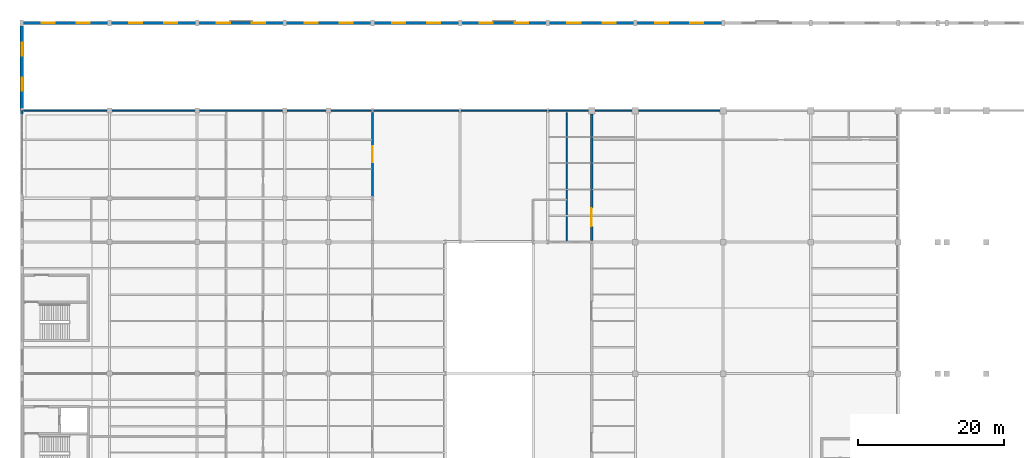
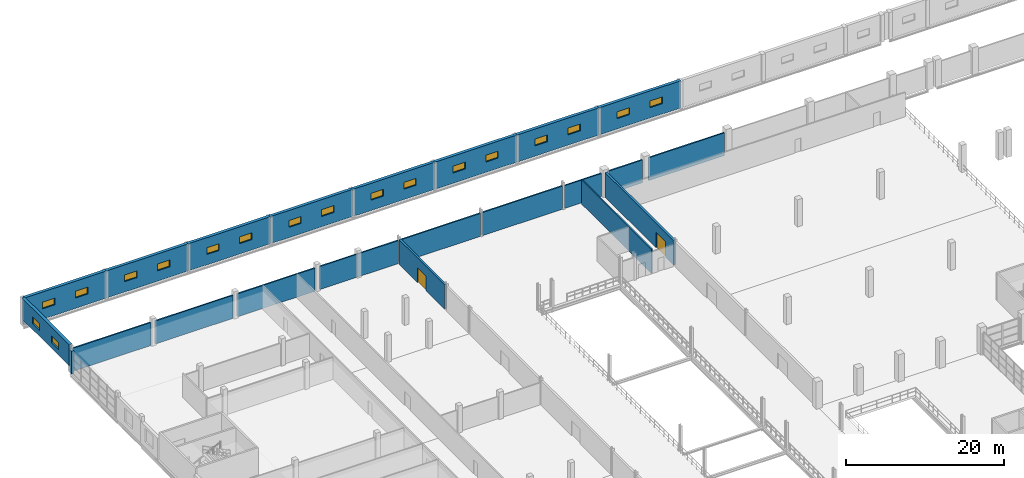
# One storey, part 148 of 158: 22 walls, 18 windows, 2 doors, 20 openings.
"""IFC4 building model written with IfcOpenShell, lengths in metres."""

from ifc_helpers import new_model, si_unit, direction, frame, frame_2d, origin, place, context, subcontext, project, spatial, rectangle, extrude, material, layer, layer_set, type_object, element, fill, save


model = new_model("IFC4")

# Units and contexts
model_context = context("Model", 3, precision=1e-05, world=origin(), true_north=direction((0.0, 1.0)))
body_context = subcontext(model_context, "Body", "Model", "MODEL_VIEW")
ifc_project = project(units=[si_unit("LENGTHUNIT", "METRE"), si_unit("AREAUNIT", "SQUARE_METRE"), si_unit("VOLUMEUNIT", "CUBIC_METRE"), si_unit("PLANEANGLEUNIT", "RADIAN"), si_unit("MASSUNIT", "GRAM", prefix="KILO")], contexts=[model_context])

# Site, building, storey
site_placement = place(None, origin())
site = spatial("IfcSite", under=ifc_project, at=site_placement, CompositionType="ELEMENT")
building_placement = place(site_placement, origin())
building = spatial("IfcBuilding", under=site, at=building_placement, Name="Zilviju Railside Exhibition Hall", CompositionType="ELEMENT")
storey_placement = place(building_placement, frame((0.0, 0.0, 4.199951171875)))
storey = spatial("IfcBuildingStorey", under=building, at=storey_placement, Name="L02", CompositionType="ELEMENT", Elevation=4.199951171875)

# Wall, opening, door
ifc_material_1 = material(Name="Concrete C35/45", Category="concrete")
ifc_layer_1 = layer(ifc_material_1, 0.280029296875)
ifc_layer_set_1 = layer_set([ifc_layer_1], Name="Concrete C35/45")
wall_type_1 = type_object("IfcWallType", Name="WL-COMP-280", PredefinedType="SHEAR", material=ifc_layer_set_1)
wall_1_placement = place(storey_placement, frame((48.0, 126.251953125, 0.0), z_axis=(0.0, 0.0, 1.0), x_axis=(0.0, 1.0, 0.0)))
wall_1 = element("IfcWall", 1, at=wall_1_placement, inside=storey, type_object=wall_type_1, Name="REI 180 Congress-Concourse Compartment Wall L02", PredefinedType="SHEAR", context=body_context, shape_type="SweptSolid", body=[
    extrude(rectangle(XDim=11.49609375, YDim=0.280029296875, at=frame_2d((5.748046875, 0.0))), origin(), (0.0, 0.0, 1.0), 3.800048828125),
])
opening_1_placement = place(wall_1_placement, frame((4.64794921875, 0.0, 0.0)))
opening_1 = element("IfcOpeningElement", 2, at=opening_1_placement, cuts=wall_1, Name="Opening FD-03", PredefinedType="OPENING", context=body_context, shape_type="SweptSolid", body=[
    extrude(rectangle(XDim=2.199951171875, YDim=2.300048828125, at=frame_2d((1.10009765625, 1.14990234375))), frame((0.0, 0.14990234375, 0.0), z_axis=(0.0, -1.0, 0.0), x_axis=(1.0, 0.0, 0.0)), (0.0, 0.0, 1.0), 0.300048828125),
])
ifc_material_2 = material(Name="Hold-open double compartment fire door EI 60", Category="wood")
door_type_1 = type_object("IfcDoorType", Name="DR-COMP-220x230", OperationType="NOTDEFINED", PredefinedType="DOOR", material=ifc_material_2)
door_1_placement = place(opening_1_placement, origin())
door_1 = element("IfcDoor", 3, at=door_1_placement, inside=storey, type_object=door_type_1, Name="Congress Link Fire Door L02", OperationType="DOUBLE_DOOR_SINGLE_SWING", OverallHeight=2.300048828125, OverallWidth=2.199951171875, PredefinedType="DOOR", context=body_context, shape_type="SweptSolid", body=[
    extrude(rectangle(XDim=2.199951171875, YDim=2.300048828125, at=frame_2d((1.10009765625, 1.14990234375))), frame((0.0, 0.02490234375, 0.0), z_axis=(0.0, -1.0, 0.0), x_axis=(1.0, 0.0, 0.0)), (0.0, 0.0, 1.0), 0.050048828125),
])
fill(opening_1, door_1)

ifc_material_3 = material(Name="Concrete C40/50", Category="concrete")
ifc_layer_2 = layer(ifc_material_3, 0.320068359375)
ifc_layer_set_2 = layer_set([ifc_layer_2], Name="Concrete C40/50")
wall_type_2 = type_object("IfcWallType", Name="WL-COMP-320", PredefinedType="SHEAR", material=ifc_layer_set_2)
wall_2_placement = place(storey_placement, frame((78.0, 120.201904296875, 0.0), z_axis=(0.0, 0.0, 1.0), x_axis=(0.0, 1.0, 0.0)))
wall_2 = element("IfcWall", 4, at=wall_2_placement, inside=storey, type_object=wall_type_2, Name="REI 180 North Hall Compartment Wall L02", PredefinedType="SHEAR", context=body_context, shape_type="SweptSolid", body=[
    extrude(rectangle(XDim=17.34619140625, YDim=0.320068359375, at=frame_2d((8.673095703125, 0.0))), origin(), (0.0, 0.0, 1.0), 3.800048828125),
])
opening_2_placement = place(wall_2_placement, frame((1.947998046875, 0.0, 0.0)))
opening_2 = element("IfcOpeningElement", 5, at=opening_2_placement, cuts=wall_2, Name="Opening FD-04", PredefinedType="OPENING", context=body_context, shape_type="SweptSolid", body=[
    extrude(rectangle(XDim=2.5, YDim=2.39990234375, at=frame_2d((1.25, 1.199951171875))), frame((0.0, 0.169921875, 0.0), z_axis=(0.0, -1.0, 0.0), x_axis=(1.0, 0.0, 0.0)), (0.0, 0.0, 1.0), 0.340087890625),
])
ifc_material_4 = material(Name="Exhibition hall fire compartment double door EI 60", Category="wood")
door_type_2 = type_object("IfcDoorType", Name="DR-COMP-250x240", OperationType="NOTDEFINED", PredefinedType="DOOR", material=ifc_material_4)
door_2_placement = place(opening_2_placement, origin())
door_2 = element("IfcDoor", 6, at=door_2_placement, inside=storey, type_object=door_type_2, Name="North Hall Entry Fire Door L02", OperationType="DOUBLE_DOOR_SINGLE_SWING", OverallHeight=2.39990234375, OverallWidth=2.5, PredefinedType="DOOR", context=body_context, shape_type="SweptSolid", body=[
    extrude(rectangle(XDim=2.5, YDim=2.39990234375, at=frame_2d((1.25, 1.199951171875))), frame((0.0, 0.02490234375, 0.0), z_axis=(0.0, -1.0, 0.0), x_axis=(1.0, 0.0, 0.0)), (0.0, 0.0, 1.0), 0.050048828125),
])
fill(opening_2, door_2)

# Wall
ifc_material_5 = material(Name="Insulated cream-brick upper facade wall", Category="masonry")
ifc_layer_3 = layer(ifc_material_5, 0.3798828125)
ifc_layer_set_3 = layer_set([ifc_layer_3], Name="Insulated cream-brick upper facade wall")
wall_type_3 = type_object("IfcWallType", Name="WL-EXT-380", PredefinedType="SOLIDWALL", material=ifc_layer_set_3)
wall_3_placement = place(storey_placement, frame((0.0, 137.449951171875, 0.0), z_axis=(0.0, 0.0, 1.0), x_axis=(0.0, 1.0, 0.0)))
element("IfcWall", 7, at=wall_3_placement, inside=storey, type_object=wall_type_3, Name="Curtain-Wall Jamb Closure Pier L02 0478", PredefinedType="SOLIDWALL", context=body_context, shape_type="SweptSolid", body=[
    extrude(rectangle(XDim=0.548095703125, YDim=0.3798828125, at=frame_2d((0.27392578125, 0.0))), origin(), (0.0, 0.0, 1.0), 3.5),
])

# Wall, openings, windows
ifc_layer_4 = layer(ifc_material_3, 0.43994140625)
ifc_layer_set_4 = layer_set([ifc_layer_4], Name="Concrete C40/50")
wall_type_4 = type_object("IfcWallType", Name="WL-EXT-AC440", PredefinedType="SHEAR", material=ifc_layer_set_4)
wall_4_placement = place(storey_placement, frame((0.0, 150.0, 0.0), z_axis=(0.0, 0.0, 1.0), x_axis=(1.0, 0.0, 0.0)))
wall_4 = element("IfcWall", 8, at=wall_4_placement, inside=storey, type_object=wall_type_4, Name="Exterior Facade Wall L02 North 0539", PredefinedType="SHEAR", context=body_context, shape_type="SweptSolid", body=[
    extrude(rectangle(XDim=12.0, YDim=0.43994140625, at=frame_2d((6.0, 0.0))), origin(), (0.0, 0.0, 1.0), 4.199951171875),
])
opening_3_placement = place(wall_4_placement, frame((2.699951171875, 0.0, 1.60009765625)))
opening_3 = element("IfcOpeningElement", 9, at=opening_3_placement, cuts=wall_4, Name="Opening WN-16", PredefinedType="OPENING", context=body_context, shape_type="SweptSolid", body=[
    extrude(rectangle(XDim=1.800048828125, YDim=1.050048828125, at=frame_2d((0.89990234375, 0.52490234375))), frame((0.0, 0.22998046875, 0.0), z_axis=(0.0, -1.0, 0.0), x_axis=(1.0, 0.0, 0.0)), (0.0, 0.0, 1.0), 0.4599609375),
])
opening_4_placement = place(wall_4_placement, frame((7.5, 0.0, 1.60009765625)))
opening_4 = element("IfcOpeningElement", 10, at=opening_4_placement, cuts=wall_4, Name="Opening WN-16", PredefinedType="OPENING", context=body_context, shape_type="SweptSolid", body=[
    extrude(rectangle(XDim=1.800048828125, YDim=1.050048828125, at=frame_2d((0.89990234375, 0.52490234375))), frame((0.0, 0.22998046875, 0.0), z_axis=(0.0, -1.0, 0.0), x_axis=(1.0, 0.0, 0.0)), (0.0, 0.0, 1.0), 0.4599609375),
])
ifc_material_6 = material(Name="Triple-glazed timber-aluminium window unit", Category="wood")
window_type = type_object("IfcWindowType", Name="WIN-LOG-180x105", PartitioningType="DOUBLE_PANEL_VERTICAL", PredefinedType="WINDOW", material=ifc_material_6)
window_1_placement = place(opening_3_placement, origin())
window_1 = element("IfcWindow", 11, at=window_1_placement, inside=storey, type_object=window_type, Name="Facade Window L02 WN-0110", OverallHeight=1.050048828125, OverallWidth=1.800048828125, PartitioningType="SINGLE_PANEL", PredefinedType="WINDOW", context=body_context, shape_type="SweptSolid", body=[
    extrude(rectangle(XDim=1.800048828125, YDim=1.050048828125, at=frame_2d((0.89990234375, 0.52490234375))), frame((0.0, 0.030029296875, 0.0), z_axis=(0.0, -1.0, 0.0), x_axis=(1.0, 0.0, 0.0)), (0.0, 0.0, 1.0), 0.06005859375),
])
fill(opening_3, window_1)
window_2_placement = place(opening_4_placement, origin())
window_2 = element("IfcWindow", 12, at=window_2_placement, inside=storey, type_object=window_type, Name="Facade Window L02 WN-0111", OverallHeight=1.050048828125, OverallWidth=1.800048828125, PartitioningType="SINGLE_PANEL", PredefinedType="WINDOW", context=body_context, shape_type="SweptSolid", body=[
    extrude(rectangle(XDim=1.800048828125, YDim=1.050048828125, at=frame_2d((0.89990234375, 0.52490234375))), frame((0.0, 0.030029296875, 0.0), z_axis=(0.0, -1.0, 0.0), x_axis=(1.0, 0.0, 0.0)), (0.0, 0.0, 1.0), 0.06005859375),
])
fill(opening_4, window_2)

wall_5_placement = place(storey_placement, frame((12.0, 150.0, 0.0), z_axis=(0.0, 0.0, 1.0), x_axis=(1.0, 0.0, 0.0)))
wall_5 = element("IfcWall", 13, at=wall_5_placement, inside=storey, type_object=wall_type_4, Name="Exterior Facade Wall L02 North 0540", PredefinedType="SHEAR", context=body_context, shape_type="SweptSolid", body=[
    extrude(rectangle(XDim=12.0, YDim=0.43994140625, at=frame_2d((6.0, 0.0))), origin(), (0.0, 0.0, 1.0), 4.199951171875),
])
opening_5_placement = place(wall_5_placement, frame((2.699951171875, 0.0, 1.60009765625)))
opening_5 = element("IfcOpeningElement", 14, at=opening_5_placement, cuts=wall_5, Name="Opening WN-16", PredefinedType="OPENING", context=body_context, shape_type="SweptSolid", body=[
    extrude(rectangle(XDim=1.800048828125, YDim=1.050048828125, at=frame_2d((0.89990234375, 0.52490234375))), frame((0.0, 0.22998046875, 0.0), z_axis=(0.0, -1.0, 0.0), x_axis=(1.0, 0.0, 0.0)), (0.0, 0.0, 1.0), 0.4599609375),
])
opening_6_placement = place(wall_5_placement, frame((7.5, 0.0, 1.60009765625)))
opening_6 = element("IfcOpeningElement", 15, at=opening_6_placement, cuts=wall_5, Name="Opening WN-16", PredefinedType="OPENING", context=body_context, shape_type="SweptSolid", body=[
    extrude(rectangle(XDim=1.800048828125, YDim=1.050048828125, at=frame_2d((0.89990234375, 0.52490234375))), frame((0.0, 0.22998046875, 0.0), z_axis=(0.0, -1.0, 0.0), x_axis=(1.0, 0.0, 0.0)), (0.0, 0.0, 1.0), 0.4599609375),
])
window_3_placement = place(opening_5_placement, origin())
window_3 = element("IfcWindow", 16, at=window_3_placement, inside=storey, type_object=window_type, Name="Facade Window L02 WN-0112", OverallHeight=1.050048828125, OverallWidth=1.800048828125, PartitioningType="SINGLE_PANEL", PredefinedType="WINDOW", context=body_context, shape_type="SweptSolid", body=[
    extrude(rectangle(XDim=1.800048828125, YDim=1.050048828125, at=frame_2d((0.89990234375, 0.52490234375))), frame((0.0, 0.030029296875, 0.0), z_axis=(0.0, -1.0, 0.0), x_axis=(1.0, 0.0, 0.0)), (0.0, 0.0, 1.0), 0.06005859375),
])
fill(opening_5, window_3)
window_4_placement = place(opening_6_placement, origin())
window_4 = element("IfcWindow", 17, at=window_4_placement, inside=storey, type_object=window_type, Name="Facade Window L02 WN-0113", OverallHeight=1.050048828125, OverallWidth=1.800048828125, PartitioningType="SINGLE_PANEL", PredefinedType="WINDOW", context=body_context, shape_type="SweptSolid", body=[
    extrude(rectangle(XDim=1.800048828125, YDim=1.050048828125, at=frame_2d((0.89990234375, 0.52490234375))), frame((0.0, 0.030029296875, 0.0), z_axis=(0.0, -1.0, 0.0), x_axis=(1.0, 0.0, 0.0)), (0.0, 0.0, 1.0), 0.06005859375),
])
fill(opening_6, window_4)

wall_6_placement = place(storey_placement, frame((24.0, 150.0, 0.0), z_axis=(0.0, 0.0, 1.0), x_axis=(1.0, 0.0, 0.0)))
wall_6 = element("IfcWall", 18, at=wall_6_placement, inside=storey, type_object=wall_type_4, Name="Exterior Facade Wall L02 North 0541", PredefinedType="SHEAR", context=body_context, shape_type="SweptSolid", body=[
    extrude(rectangle(XDim=12.0, YDim=0.43994140625, at=frame_2d((6.0, 0.0))), origin(), (0.0, 0.0, 1.0), 4.199951171875),
])
opening_7_placement = place(wall_6_placement, frame((2.699951171875, 0.0, 1.60009765625)))
opening_7 = element("IfcOpeningElement", 19, at=opening_7_placement, cuts=wall_6, Name="Opening WN-16", PredefinedType="OPENING", context=body_context, shape_type="SweptSolid", body=[
    extrude(rectangle(XDim=1.800048828125, YDim=1.050048828125, at=frame_2d((0.89990234375, 0.52490234375))), frame((0.0, 0.22998046875, 0.0), z_axis=(0.0, -1.0, 0.0), x_axis=(1.0, 0.0, 0.0)), (0.0, 0.0, 1.0), 0.4599609375),
])
opening_8_placement = place(wall_6_placement, frame((7.5, 0.0, 1.60009765625)))
opening_8 = element("IfcOpeningElement", 20, at=opening_8_placement, cuts=wall_6, Name="Opening WN-16", PredefinedType="OPENING", context=body_context, shape_type="SweptSolid", body=[
    extrude(rectangle(XDim=1.800048828125, YDim=1.050048828125, at=frame_2d((0.89990234375, 0.52490234375))), frame((0.0, 0.22998046875, 0.0), z_axis=(0.0, -1.0, 0.0), x_axis=(1.0, 0.0, 0.0)), (0.0, 0.0, 1.0), 0.4599609375),
])
window_5_placement = place(opening_7_placement, origin())
window_5 = element("IfcWindow", 21, at=window_5_placement, inside=storey, type_object=window_type, Name="Facade Window L02 WN-0114", OverallHeight=1.050048828125, OverallWidth=1.800048828125, PartitioningType="SINGLE_PANEL", PredefinedType="WINDOW", context=body_context, shape_type="SweptSolid", body=[
    extrude(rectangle(XDim=1.800048828125, YDim=1.050048828125, at=frame_2d((0.89990234375, 0.52490234375))), frame((0.0, 0.030029296875, 0.0), z_axis=(0.0, -1.0, 0.0), x_axis=(1.0, 0.0, 0.0)), (0.0, 0.0, 1.0), 0.06005859375),
])
fill(opening_7, window_5)
window_6_placement = place(opening_8_placement, origin())
window_6 = element("IfcWindow", 22, at=window_6_placement, inside=storey, type_object=window_type, Name="Facade Window L02 WN-0115", OverallHeight=1.050048828125, OverallWidth=1.800048828125, PartitioningType="SINGLE_PANEL", PredefinedType="WINDOW", context=body_context, shape_type="SweptSolid", body=[
    extrude(rectangle(XDim=1.800048828125, YDim=1.050048828125, at=frame_2d((0.89990234375, 0.52490234375))), frame((0.0, 0.030029296875, 0.0), z_axis=(0.0, -1.0, 0.0), x_axis=(1.0, 0.0, 0.0)), (0.0, 0.0, 1.0), 0.06005859375),
])
fill(opening_8, window_6)

wall_7_placement = place(storey_placement, frame((36.0, 150.0, 0.0), z_axis=(0.0, 0.0, 1.0), x_axis=(1.0, 0.0, 0.0)))
wall_7 = element("IfcWall", 23, at=wall_7_placement, inside=storey, type_object=wall_type_4, Name="Exterior Facade Wall L02 North 0542", PredefinedType="SHEAR", context=body_context, shape_type="SweptSolid", body=[
    extrude(rectangle(XDim=12.0, YDim=0.43994140625, at=frame_2d((6.0, 0.0))), origin(), (0.0, 0.0, 1.0), 4.199951171875),
])
opening_9_placement = place(wall_7_placement, frame((2.699951171875, 0.0, 1.60009765625)))
opening_9 = element("IfcOpeningElement", 24, at=opening_9_placement, cuts=wall_7, Name="Opening WN-16", PredefinedType="OPENING", context=body_context, shape_type="SweptSolid", body=[
    extrude(rectangle(XDim=1.800048828125, YDim=1.050048828125, at=frame_2d((0.89990234375, 0.52490234375))), frame((0.0, 0.22998046875, 0.0), z_axis=(0.0, -1.0, 0.0), x_axis=(1.0, 0.0, 0.0)), (0.0, 0.0, 1.0), 0.4599609375),
])
opening_10_placement = place(wall_7_placement, frame((7.5, 0.0, 1.60009765625)))
opening_10 = element("IfcOpeningElement", 25, at=opening_10_placement, cuts=wall_7, Name="Opening WN-16", PredefinedType="OPENING", context=body_context, shape_type="SweptSolid", body=[
    extrude(rectangle(XDim=1.800048828125, YDim=1.050048828125, at=frame_2d((0.89990234375, 0.52490234375))), frame((0.0, 0.22998046875, 0.0), z_axis=(0.0, -1.0, 0.0), x_axis=(1.0, 0.0, 0.0)), (0.0, 0.0, 1.0), 0.4599609375),
])
window_7_placement = place(opening_9_placement, origin())
window_7 = element("IfcWindow", 26, at=window_7_placement, inside=storey, type_object=window_type, Name="Facade Window L02 WN-0116", OverallHeight=1.050048828125, OverallWidth=1.800048828125, PartitioningType="SINGLE_PANEL", PredefinedType="WINDOW", context=body_context, shape_type="SweptSolid", body=[
    extrude(rectangle(XDim=1.800048828125, YDim=1.050048828125, at=frame_2d((0.89990234375, 0.52490234375))), frame((0.0, 0.030029296875, 0.0), z_axis=(0.0, -1.0, 0.0), x_axis=(1.0, 0.0, 0.0)), (0.0, 0.0, 1.0), 0.06005859375),
])
fill(opening_9, window_7)
window_8_placement = place(opening_10_placement, origin())
window_8 = element("IfcWindow", 27, at=window_8_placement, inside=storey, type_object=window_type, Name="Facade Window L02 WN-0117", OverallHeight=1.050048828125, OverallWidth=1.800048828125, PartitioningType="SINGLE_PANEL", PredefinedType="WINDOW", context=body_context, shape_type="SweptSolid", body=[
    extrude(rectangle(XDim=1.800048828125, YDim=1.050048828125, at=frame_2d((0.89990234375, 0.52490234375))), frame((0.0, 0.030029296875, 0.0), z_axis=(0.0, -1.0, 0.0), x_axis=(1.0, 0.0, 0.0)), (0.0, 0.0, 1.0), 0.06005859375),
])
fill(opening_10, window_8)

wall_8_placement = place(storey_placement, frame((48.0, 150.0, 0.0), z_axis=(0.0, 0.0, 1.0), x_axis=(1.0, 0.0, 0.0)))
wall_8 = element("IfcWall", 28, at=wall_8_placement, inside=storey, type_object=wall_type_4, Name="Exterior Facade Wall L02 North 0543", PredefinedType="SHEAR", context=body_context, shape_type="SweptSolid", body=[
    extrude(rectangle(XDim=12.0, YDim=0.43994140625, at=frame_2d((6.0, 0.0))), origin(), (0.0, 0.0, 1.0), 4.199951171875),
])
opening_11_placement = place(wall_8_placement, frame((2.699951171875, 0.0, 1.60009765625)))
opening_11 = element("IfcOpeningElement", 29, at=opening_11_placement, cuts=wall_8, Name="Opening WN-16", PredefinedType="OPENING", context=body_context, shape_type="SweptSolid", body=[
    extrude(rectangle(XDim=1.800048828125, YDim=1.050048828125, at=frame_2d((0.89990234375, 0.52490234375))), frame((0.0, 0.22998046875, 0.0), z_axis=(0.0, -1.0, 0.0), x_axis=(1.0, 0.0, 0.0)), (0.0, 0.0, 1.0), 0.4599609375),
])
opening_12_placement = place(wall_8_placement, frame((7.5, 0.0, 1.60009765625)))
opening_12 = element("IfcOpeningElement", 30, at=opening_12_placement, cuts=wall_8, Name="Opening WN-16", PredefinedType="OPENING", context=body_context, shape_type="SweptSolid", body=[
    extrude(rectangle(XDim=1.800048828125, YDim=1.050048828125, at=frame_2d((0.89990234375, 0.52490234375))), frame((0.0, 0.22998046875, 0.0), z_axis=(0.0, -1.0, 0.0), x_axis=(1.0, 0.0, 0.0)), (0.0, 0.0, 1.0), 0.4599609375),
])
window_9_placement = place(opening_11_placement, origin())
window_9 = element("IfcWindow", 31, at=window_9_placement, inside=storey, type_object=window_type, Name="Facade Window L02 WN-0118", OverallHeight=1.050048828125, OverallWidth=1.800048828125, PartitioningType="SINGLE_PANEL", PredefinedType="WINDOW", context=body_context, shape_type="SweptSolid", body=[
    extrude(rectangle(XDim=1.800048828125, YDim=1.050048828125, at=frame_2d((0.89990234375, 0.52490234375))), frame((0.0, 0.030029296875, 0.0), z_axis=(0.0, -1.0, 0.0), x_axis=(1.0, 0.0, 0.0)), (0.0, 0.0, 1.0), 0.06005859375),
])
fill(opening_11, window_9)
window_10_placement = place(opening_12_placement, origin())
window_10 = element("IfcWindow", 32, at=window_10_placement, inside=storey, type_object=window_type, Name="Facade Window L02 WN-0119", OverallHeight=1.050048828125, OverallWidth=1.800048828125, PartitioningType="SINGLE_PANEL", PredefinedType="WINDOW", context=body_context, shape_type="SweptSolid", body=[
    extrude(rectangle(XDim=1.800048828125, YDim=1.050048828125, at=frame_2d((0.89990234375, 0.52490234375))), frame((0.0, 0.030029296875, 0.0), z_axis=(0.0, -1.0, 0.0), x_axis=(1.0, 0.0, 0.0)), (0.0, 0.0, 1.0), 0.06005859375),
])
fill(opening_12, window_10)

wall_9_placement = place(storey_placement, frame((60.0, 150.0, 0.0), z_axis=(0.0, 0.0, 1.0), x_axis=(1.0, 0.0, 0.0)))
wall_9 = element("IfcWall", 33, at=wall_9_placement, inside=storey, type_object=wall_type_4, Name="Exterior Facade Wall L02 North 0544", PredefinedType="SHEAR", context=body_context, shape_type="SweptSolid", body=[
    extrude(rectangle(XDim=12.0, YDim=0.43994140625, at=frame_2d((6.0, 0.0))), origin(), (0.0, 0.0, 1.0), 4.199951171875),
])
opening_13_placement = place(wall_9_placement, frame((2.699951171875, 0.0, 1.60009765625)))
opening_13 = element("IfcOpeningElement", 34, at=opening_13_placement, cuts=wall_9, Name="Opening WN-16", PredefinedType="OPENING", context=body_context, shape_type="SweptSolid", body=[
    extrude(rectangle(XDim=1.800048828125, YDim=1.050048828125, at=frame_2d((0.89990234375, 0.52490234375))), frame((0.0, 0.22998046875, 0.0), z_axis=(0.0, -1.0, 0.0), x_axis=(1.0, 0.0, 0.0)), (0.0, 0.0, 1.0), 0.4599609375),
])
opening_14_placement = place(wall_9_placement, frame((7.5, 0.0, 1.60009765625)))
opening_14 = element("IfcOpeningElement", 35, at=opening_14_placement, cuts=wall_9, Name="Opening WN-16", PredefinedType="OPENING", context=body_context, shape_type="SweptSolid", body=[
    extrude(rectangle(XDim=1.800048828125, YDim=1.050048828125, at=frame_2d((0.89990234375, 0.52490234375))), frame((0.0, 0.22998046875, 0.0), z_axis=(0.0, -1.0, 0.0), x_axis=(1.0, 0.0, 0.0)), (0.0, 0.0, 1.0), 0.4599609375),
])
window_11_placement = place(opening_13_placement, origin())
window_11 = element("IfcWindow", 36, at=window_11_placement, inside=storey, type_object=window_type, Name="Facade Window L02 WN-0120", OverallHeight=1.050048828125, OverallWidth=1.800048828125, PartitioningType="SINGLE_PANEL", PredefinedType="WINDOW", context=body_context, shape_type="SweptSolid", body=[
    extrude(rectangle(XDim=1.800048828125, YDim=1.050048828125, at=frame_2d((0.89990234375, 0.52490234375))), frame((0.0, 0.030029296875, 0.0), z_axis=(0.0, -1.0, 0.0), x_axis=(1.0, 0.0, 0.0)), (0.0, 0.0, 1.0), 0.06005859375),
])
fill(opening_13, window_11)
window_12_placement = place(opening_14_placement, origin())
window_12 = element("IfcWindow", 37, at=window_12_placement, inside=storey, type_object=window_type, Name="Facade Window L02 WN-0121", OverallHeight=1.050048828125, OverallWidth=1.800048828125, PartitioningType="SINGLE_PANEL", PredefinedType="WINDOW", context=body_context, shape_type="SweptSolid", body=[
    extrude(rectangle(XDim=1.800048828125, YDim=1.050048828125, at=frame_2d((0.89990234375, 0.52490234375))), frame((0.0, 0.030029296875, 0.0), z_axis=(0.0, -1.0, 0.0), x_axis=(1.0, 0.0, 0.0)), (0.0, 0.0, 1.0), 0.06005859375),
])
fill(opening_14, window_12)

wall_10_placement = place(storey_placement, frame((72.0, 150.0, 0.0), z_axis=(0.0, 0.0, 1.0), x_axis=(1.0, 0.0, 0.0)))
wall_10 = element("IfcWall", 38, at=wall_10_placement, inside=storey, type_object=wall_type_4, Name="Exterior Facade Wall L02 North 0545", PredefinedType="SHEAR", context=body_context, shape_type="SweptSolid", body=[
    extrude(rectangle(XDim=12.0, YDim=0.43994140625, at=frame_2d((6.0, 0.0))), origin(), (0.0, 0.0, 1.0), 4.199951171875),
])
opening_15_placement = place(wall_10_placement, frame((2.699951171875, 0.0, 1.60009765625)))
opening_15 = element("IfcOpeningElement", 39, at=opening_15_placement, cuts=wall_10, Name="Opening WN-16", PredefinedType="OPENING", context=body_context, shape_type="SweptSolid", body=[
    extrude(rectangle(XDim=1.800048828125, YDim=1.050048828125, at=frame_2d((0.89990234375, 0.52490234375))), frame((0.0, 0.22998046875, 0.0), z_axis=(0.0, -1.0, 0.0), x_axis=(1.0, 0.0, 0.0)), (0.0, 0.0, 1.0), 0.4599609375),
])
opening_16_placement = place(wall_10_placement, frame((7.5, 0.0, 1.60009765625)))
opening_16 = element("IfcOpeningElement", 40, at=opening_16_placement, cuts=wall_10, Name="Opening WN-16", PredefinedType="OPENING", context=body_context, shape_type="SweptSolid", body=[
    extrude(rectangle(XDim=1.800048828125, YDim=1.050048828125, at=frame_2d((0.89990234375, 0.52490234375))), frame((0.0, 0.22998046875, 0.0), z_axis=(0.0, -1.0, 0.0), x_axis=(1.0, 0.0, 0.0)), (0.0, 0.0, 1.0), 0.4599609375),
])
window_13_placement = place(opening_15_placement, origin())
window_13 = element("IfcWindow", 41, at=window_13_placement, inside=storey, type_object=window_type, Name="Facade Window L02 WN-0122", OverallHeight=1.050048828125, OverallWidth=1.800048828125, PartitioningType="SINGLE_PANEL", PredefinedType="WINDOW", context=body_context, shape_type="SweptSolid", body=[
    extrude(rectangle(XDim=1.800048828125, YDim=1.050048828125, at=frame_2d((0.89990234375, 0.52490234375))), frame((0.0, 0.030029296875, 0.0), z_axis=(0.0, -1.0, 0.0), x_axis=(1.0, 0.0, 0.0)), (0.0, 0.0, 1.0), 0.06005859375),
])
fill(opening_15, window_13)
window_14_placement = place(opening_16_placement, origin())
window_14 = element("IfcWindow", 42, at=window_14_placement, inside=storey, type_object=window_type, Name="Facade Window L02 WN-0123", OverallHeight=1.050048828125, OverallWidth=1.800048828125, PartitioningType="SINGLE_PANEL", PredefinedType="WINDOW", context=body_context, shape_type="SweptSolid", body=[
    extrude(rectangle(XDim=1.800048828125, YDim=1.050048828125, at=frame_2d((0.89990234375, 0.52490234375))), frame((0.0, 0.030029296875, 0.0), z_axis=(0.0, -1.0, 0.0), x_axis=(1.0, 0.0, 0.0)), (0.0, 0.0, 1.0), 0.06005859375),
])
fill(opening_16, window_14)

wall_11_placement = place(storey_placement, frame((84.0, 150.0, 0.0), z_axis=(0.0, 0.0, 1.0), x_axis=(1.0, 0.0, 0.0)))
wall_11 = element("IfcWall", 43, at=wall_11_placement, inside=storey, type_object=wall_type_4, Name="Exterior Facade Wall L02 North 0546", PredefinedType="SHEAR", context=body_context, shape_type="SweptSolid", body=[
    extrude(rectangle(XDim=12.0, YDim=0.43994140625, at=frame_2d((6.0, 0.0))), origin(), (0.0, 0.0, 1.0), 4.199951171875),
])
opening_17_placement = place(wall_11_placement, frame((2.699951171875, 0.0, 1.60009765625)))
opening_17 = element("IfcOpeningElement", 44, at=opening_17_placement, cuts=wall_11, Name="Opening WN-16", PredefinedType="OPENING", context=body_context, shape_type="SweptSolid", body=[
    extrude(rectangle(XDim=1.800048828125, YDim=1.050048828125, at=frame_2d((0.89990234375, 0.52490234375))), frame((0.0, 0.22998046875, 0.0), z_axis=(0.0, -1.0, 0.0), x_axis=(1.0, 0.0, 0.0)), (0.0, 0.0, 1.0), 0.4599609375),
])
opening_18_placement = place(wall_11_placement, frame((7.5, 0.0, 1.60009765625)))
opening_18 = element("IfcOpeningElement", 45, at=opening_18_placement, cuts=wall_11, Name="Opening WN-16", PredefinedType="OPENING", context=body_context, shape_type="SweptSolid", body=[
    extrude(rectangle(XDim=1.800048828125, YDim=1.050048828125, at=frame_2d((0.89990234375, 0.52490234375))), frame((0.0, 0.22998046875, 0.0), z_axis=(0.0, -1.0, 0.0), x_axis=(1.0, 0.0, 0.0)), (0.0, 0.0, 1.0), 0.4599609375),
])
window_15_placement = place(opening_17_placement, origin())
window_15 = element("IfcWindow", 46, at=window_15_placement, inside=storey, type_object=window_type, Name="Facade Window L02 WN-0124", OverallHeight=1.050048828125, OverallWidth=1.800048828125, PartitioningType="SINGLE_PANEL", PredefinedType="WINDOW", context=body_context, shape_type="SweptSolid", body=[
    extrude(rectangle(XDim=1.800048828125, YDim=1.050048828125, at=frame_2d((0.89990234375, 0.52490234375))), frame((0.0, 0.030029296875, 0.0), z_axis=(0.0, -1.0, 0.0), x_axis=(1.0, 0.0, 0.0)), (0.0, 0.0, 1.0), 0.06005859375),
])
fill(opening_17, window_15)
window_16_placement = place(opening_18_placement, origin())
window_16 = element("IfcWindow", 47, at=window_16_placement, inside=storey, type_object=window_type, Name="Facade Window L02 WN-0125", OverallHeight=1.050048828125, OverallWidth=1.800048828125, PartitioningType="SINGLE_PANEL", PredefinedType="WINDOW", context=body_context, shape_type="SweptSolid", body=[
    extrude(rectangle(XDim=1.800048828125, YDim=1.050048828125, at=frame_2d((0.89990234375, 0.52490234375))), frame((0.0, 0.030029296875, 0.0), z_axis=(0.0, -1.0, 0.0), x_axis=(1.0, 0.0, 0.0)), (0.0, 0.0, 1.0), 0.06005859375),
])
fill(opening_18, window_16)

wall_12_placement = place(storey_placement, frame((0.0, 138.0, 0.949951171875), z_axis=(0.0, 0.0, 1.0), x_axis=(0.0, 1.0, 0.0)))
wall_12 = element("IfcWall", 48, at=wall_12_placement, inside=storey, type_object=wall_type_4, Name="Exterior Facade Wall L02 West 0576", PredefinedType="SHEAR", context=body_context, shape_type="SweptSolid", body=[
    extrude(rectangle(XDim=12.0, YDim=0.43994140625, at=frame_2d((6.0, 0.0))), origin(), (0.0, 0.0, 1.0), 3.25),
])
opening_19_placement = place(wall_12_placement, frame((2.699951171875, 0.0, 0.89990234375)))
opening_19 = element("IfcOpeningElement", 49, at=opening_19_placement, cuts=wall_12, Name="Opening WN-16", PredefinedType="OPENING", context=body_context, shape_type="SweptSolid", body=[
    extrude(rectangle(XDim=1.800048828125, YDim=1.050048828125, at=frame_2d((0.89990234375, 0.52490234375))), frame((0.0, 0.22998046875, 0.0), z_axis=(0.0, -1.0, 0.0), x_axis=(1.0, 0.0, 0.0)), (0.0, 0.0, 1.0), 0.4599609375),
])
opening_20_placement = place(wall_12_placement, frame((7.5, 0.0, 0.89990234375)))
opening_20 = element("IfcOpeningElement", 50, at=opening_20_placement, cuts=wall_12, Name="Opening WN-16", PredefinedType="OPENING", context=body_context, shape_type="SweptSolid", body=[
    extrude(rectangle(XDim=1.800048828125, YDim=1.050048828125, at=frame_2d((0.89990234375, 0.52490234375))), frame((0.0, 0.22998046875, 0.0), z_axis=(0.0, -1.0, 0.0), x_axis=(1.0, 0.0, 0.0)), (0.0, 0.0, 1.0), 0.4599609375),
])
window_17_placement = place(opening_19_placement, origin())
window_17 = element("IfcWindow", 51, at=window_17_placement, inside=storey, type_object=window_type, Name="Facade Window L02 WN-0166", OverallHeight=1.050048828125, OverallWidth=1.800048828125, PartitioningType="SINGLE_PANEL", PredefinedType="WINDOW", context=body_context, shape_type="SweptSolid", body=[
    extrude(rectangle(XDim=1.800048828125, YDim=1.050048828125, at=frame_2d((0.89990234375, 0.52490234375))), frame((0.0, 0.030029296875, 0.0), z_axis=(0.0, -1.0, 0.0), x_axis=(1.0, 0.0, 0.0)), (0.0, 0.0, 1.0), 0.06005859375),
])
fill(opening_19, window_17)
window_18_placement = place(opening_20_placement, origin())
window_18 = element("IfcWindow", 52, at=window_18_placement, inside=storey, type_object=window_type, Name="Facade Window L02 WN-0167", OverallHeight=1.050048828125, OverallWidth=1.800048828125, PartitioningType="SINGLE_PANEL", PredefinedType="WINDOW", context=body_context, shape_type="SweptSolid", body=[
    extrude(rectangle(XDim=1.800048828125, YDim=1.050048828125, at=frame_2d((0.89990234375, 0.52490234375))), frame((0.0, 0.030029296875, 0.0), z_axis=(0.0, -1.0, 0.0), x_axis=(1.0, 0.0, 0.0)), (0.0, 0.0, 1.0), 0.06005859375),
])
fill(opening_20, window_18)

# Walls
ifc_material_7 = material(Name="Double-stud acoustic gypsum partition wall", Category="masonry")
ifc_layer_5 = layer(ifc_material_7, 0.199951171875)
ifc_layer_set_5 = layer_set([ifc_layer_5], Name="Double-stud acoustic gypsum partition wall")
wall_type_5 = type_object("IfcWallType", Name="WL-PART-200", PredefinedType="PARTITIONING", material=ifc_layer_set_5)
wall_13_placement = place(storey_placement, frame((0.201904296875, 138.0, 0.0), z_axis=(0.0, 0.0, 1.0), x_axis=(1.0, 0.0, 0.0)))
element("IfcWall", 53, at=wall_13_placement, inside=storey, type_object=wall_type_5, Name="REI 180 Railside Buffer Compartment Wall L02", PredefinedType="PARTITIONING", context=body_context, shape_type="SweptSolid", body=[
    extrude(rectangle(XDim=11.47119140625, YDim=0.199951171875, at=frame_2d((5.735595703125, 0.0))), origin(), (0.0, 0.0, 1.0), 3.56005859375),
])
for number, where, z_axis, x_axis, name in (
    (54, (12.326904296875, 138.0, 0.0), (0.0, 0.0, 1.0), (1.0, 0.0, 0.0), "REI 180 Railside Buffer Compartment Wall L02"),
    (55, (24.326904296875, 138.0, 0.0), (0.0, 0.0, 1.0), (1.0, 0.0, 0.0), "REI 180 Railside Buffer Compartment Wall L02"),
):
    element("IfcWall", number, at=place(storey_placement, frame(where, z_axis=z_axis, x_axis=x_axis)), inside=storey, type_object=wall_type_5, Name=name, PredefinedType="PARTITIONING", context=body_context, shape_type="SweptSolid", body=[
        extrude(rectangle(XDim=11.34619140625, YDim=0.199951171875, at=frame_2d((5.673095703125, 0.0))), origin(), (0.0, 0.0, 1.0), 3.56005859375),
    ])
wall_14_placement = place(storey_placement, frame((36.326904296875, 138.0, 0.0), z_axis=(0.0, 0.0, 1.0), x_axis=(1.0, 0.0, 0.0)))
element("IfcWall", 56, at=wall_14_placement, inside=storey, type_object=wall_type_5, Name="REI 180 Railside Buffer Compartment Wall L02", PredefinedType="PARTITIONING", context=body_context, shape_type="SweptSolid", body=[
    extrude(rectangle(XDim=11.52099609375, YDim=0.199951171875, at=frame_2d((5.760498046875, 0.0))), origin(), (0.0, 0.0, 1.0), 3.56005859375),
])
wall_15_placement = place(storey_placement, frame((48.152099609375, 138.0, 0.0), z_axis=(0.0, 0.0, 1.0), x_axis=(1.0, 0.0, 0.0)))
element("IfcWall", 57, at=wall_15_placement, inside=storey, type_object=wall_type_5, Name="REI 180 Railside Buffer Compartment Wall L02", PredefinedType="PARTITIONING", context=body_context, shape_type="SweptSolid", body=[
    extrude(rectangle(XDim=11.69580078125, YDim=0.199951171875, at=frame_2d((5.847900390625, 0.0))), origin(), (0.0, 0.0, 1.0), 3.56005859375),
])
wall_16_placement = place(storey_placement, frame((60.152099609375, 138.0, 0.0), z_axis=(0.0, 0.0, 1.0), x_axis=(1.0, 0.0, 0.0)))
element("IfcWall", 58, at=wall_16_placement, inside=storey, type_object=wall_type_5, Name="REI 180 Railside Buffer Compartment Wall L02", PredefinedType="PARTITIONING", context=body_context, shape_type="SweptSolid", body=[
    extrude(rectangle(XDim=11.69580078125, YDim=0.199951171875, at=frame_2d((5.847900390625, 0.0))), origin(), (0.0, 0.0, 1.0), 3.590087890625),
])
wall_17_placement = place(storey_placement, frame((72.152099609375, 138.0, 0.0), z_axis=(0.0, 0.0, 1.0), x_axis=(1.0, 0.0, 0.0)))
element("IfcWall", 59, at=wall_17_placement, inside=storey, type_object=wall_type_5, Name="REI 180 Railside Buffer Compartment Wall L02", PredefinedType="PARTITIONING", context=body_context, shape_type="SweptSolid", body=[
    extrude(rectangle(XDim=5.39599609375, YDim=0.199951171875, at=frame_2d((2.697998046875, 0.0))), origin(), (0.0, 0.0, 1.0), 3.530029296875),
])
wall_18_placement = place(storey_placement, frame((78.451904296875, 138.0, 0.0), z_axis=(0.0, 0.0, 1.0), x_axis=(1.0, 0.0, 0.0)))
element("IfcWall", 60, at=wall_18_placement, inside=storey, type_object=wall_type_5, Name="REI 180 Railside Buffer Compartment Wall L02", PredefinedType="PARTITIONING", context=body_context, shape_type="SweptSolid", body=[
    extrude(rectangle(XDim=5.09619140625, YDim=0.199951171875, at=frame_2d((2.548095703125, 0.0))), origin(), (0.0, 0.0, 1.0), 3.530029296875),
])
wall_19_placement = place(storey_placement, frame((84.451904296875, 138.0, 0.0), z_axis=(0.0, 0.0, 1.0), x_axis=(1.0, 0.0, 0.0)))
element("IfcWall", 61, at=wall_19_placement, inside=storey, type_object=wall_type_5, Name="REI 180 Railside Buffer Compartment Wall L02", PredefinedType="PARTITIONING", context=body_context, shape_type="SweptSolid", body=[
    extrude(rectangle(XDim=11.09619140625, YDim=0.199951171875, at=frame_2d((5.548095703125, 0.0))), origin(), (0.0, 0.0, 1.0), 3.530029296875),
])
ifc_material_8 = material(Name="Accessible WC sanitary chase wall", Category="masonry")
ifc_layer_6 = layer(ifc_material_8, 0.18994140625)
ifc_layer_set_6 = layer_set([ifc_layer_6], Name="Accessible WC sanitary chase wall")
wall_type_6 = type_object("IfcWallType", Name="WL-PLMB-190", PredefinedType="PLUMBINGWALL", material=ifc_layer_set_6)
wall_20_placement = place(storey_placement, frame((74.60009765625, 120.0, 0.0), z_axis=(0.0, 0.0, 1.0), x_axis=(0.0, 1.0, 0.0)))
element("IfcWall", 62, at=wall_20_placement, inside=storey, type_object=wall_type_6, Name="Concourse L02 WC Divider", PredefinedType="PLUMBINGWALL", context=body_context, shape_type="SweptSolid", body=[
    extrude(rectangle(XDim=17.699951171875, YDim=0.18994140625, at=frame_2d((8.85009765625, 0.0))), origin(), (0.0, 0.0, 1.0), 3.719970703125),
])

save(model, "model.ifc")
